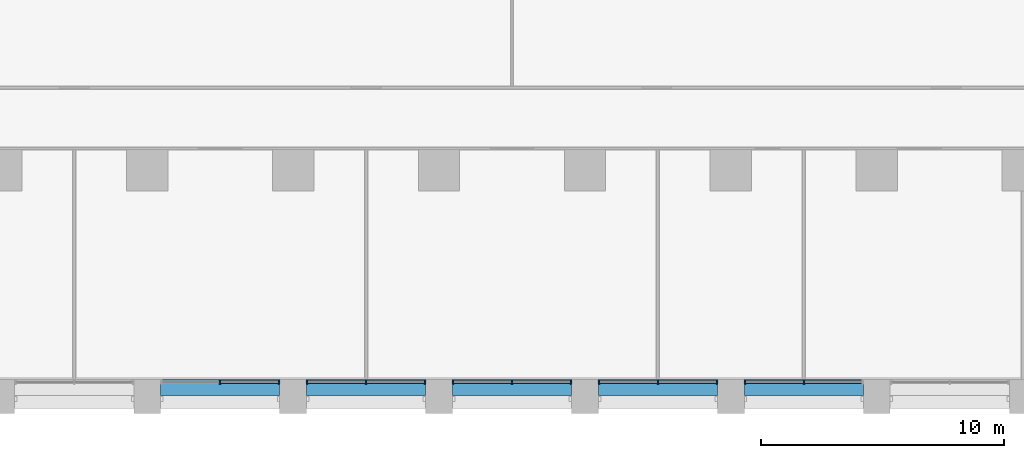
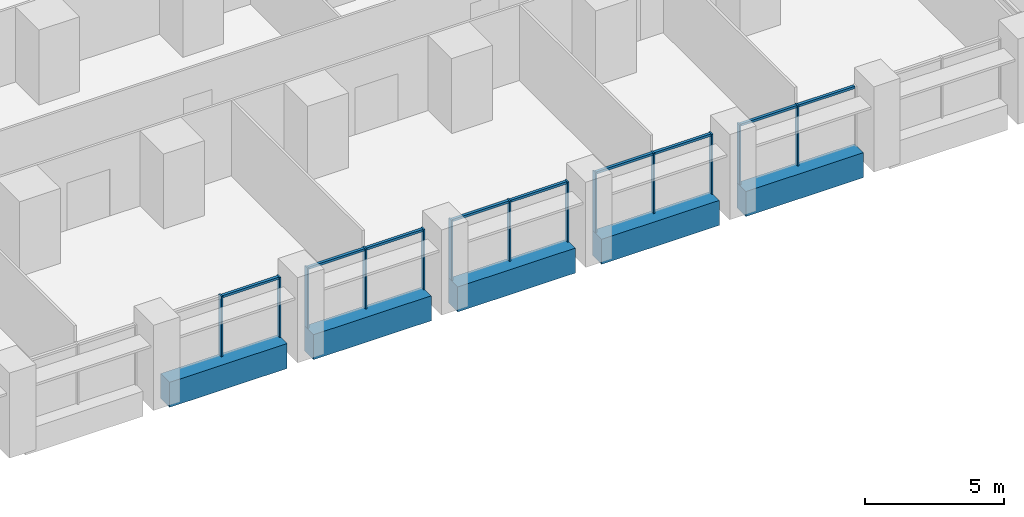
# One storey, part 3 of 18: 22 members, 5 beams, 5 elements without a shape of their own.
"""IFC4 building model written with IfcOpenShell, lengths in metres."""

from ifc_helpers import new_model, si_unit, direction, frame, origin, origin_2d, place, context, subcontext, project, spatial, rectangle, extrude, material, material_profile, profile_set, type_object, element, aggregate, save


model = new_model("IFC4")

# Units and contexts
model_context = context("Model", 3, precision=1e-05, world=origin(), true_north=direction((0.0, 1.0)))
body_context = subcontext(model_context, "Body", "Model", "MODEL_VIEW")
ifc_project = project(units=[si_unit("LENGTHUNIT", "METRE"), si_unit("AREAUNIT", "SQUARE_METRE"), si_unit("VOLUMEUNIT", "CUBIC_METRE"), si_unit("PLANEANGLEUNIT", "RADIAN"), si_unit("MASSUNIT", "GRAM", prefix="KILO")], contexts=[model_context])

# Site, building, storey
site_placement = place(None, origin())
site = spatial("IfcSite", under=ifc_project, at=site_placement, CompositionType="ELEMENT")
building_placement = place(site_placement, origin())
building = spatial("IfcBuilding", under=site, at=building_placement, Name="Calvaro Tower", CompositionType="ELEMENT")
storey_placement = place(building_placement, frame((0.0, 0.0, 48.75)))
storey = spatial("IfcBuildingStorey", under=building, at=storey_placement, Name="L11", CompositionType="ELEMENT", Elevation=48.75)

# Curtain wall, members
ifc_material_1 = material(Name="Anodised aluminium", Category="aluminium")
curtain_wall_type = type_object("IfcCurtainWallType", Name="Office curtain wall, lower zone", PredefinedType="NOTDEFINED", material=ifc_material_1)
curtain_wall_1_placement = place(storey_placement, origin())
curtain_wall_1 = element("IfcCurtainWall", 1, at=curtain_wall_1_placement, inside=storey, type_object=curtain_wall_type, Name="CW1 south curtain wall", PredefinedType="NOTDEFINED")
ifc_material_2 = material(Name="Anodised aluminium", Category="aluminium")
ifc_material_profile_1 = material_profile(ifc_material_2, rectangle(XDim=0.199951171875, YDim=0.06005859375, at=origin_2d()), Name="Mullion S1 60 x 200")
ifc_profile_set_1 = profile_set([ifc_material_profile_1], Name="Anodised aluminium")
member_type_1 = type_object("IfcMemberType", Name="Mullion S1 60 x 200", PredefinedType="MULLION", material=ifc_profile_set_1)
member_1_placement = place(storey_placement, frame((39.0, 1.300048828125, 0.0), z_axis=(0.0, 0.0, 1.0), x_axis=(0.0, 1.0, 0.0)))
member_1 = element("IfcMember", 2, at=member_1_placement, type_object=member_type_1, Name="CW1 mullion 2", PredefinedType="MULLION", context=body_context, shape_type="SweptSolid", body=[
    extrude(rectangle(XDim=0.199951171875, YDim=0.06005859375, at=origin_2d()), origin(), (0.0, 0.0, 1.0), 2.64990234375),
])
member_2_placement = place(storey_placement, frame((41.419921875, 1.300048828125, 0.0), z_axis=(0.0, 0.0, 1.0), x_axis=(0.0, 1.0, 0.0)))
member_2 = element("IfcMember", 3, at=member_2_placement, type_object=member_type_1, Name="CW1 mullion 3", PredefinedType="MULLION", context=body_context, shape_type="SweptSolid", body=[
    extrude(rectangle(XDim=0.199951171875, YDim=0.06005859375, at=origin_2d()), origin(), (0.0, 0.0, 1.0), 2.64990234375),
])

curtain_wall_2_placement = place(storey_placement, origin())
curtain_wall_2 = element("IfcCurtainWall", 4, at=curtain_wall_2_placement, inside=storey, type_object=curtain_wall_type, Name="CW1 south curtain wall", PredefinedType="NOTDEFINED")
member_3_placement = place(storey_placement, frame((42.580078125, 1.300048828125, 0.0), z_axis=(0.0, 0.0, 1.0), x_axis=(0.0, 1.0, 0.0)))
member_3 = element("IfcMember", 5, at=member_3_placement, type_object=member_type_1, Name="CW1 mullion 1", PredefinedType="MULLION", context=body_context, shape_type="SweptSolid", body=[
    extrude(rectangle(XDim=0.199951171875, YDim=0.06005859375, at=origin_2d()), origin(), (0.0, 0.0, 1.0), 2.64990234375),
])
member_4_placement = place(storey_placement, frame((45.0, 1.300048828125, 0.0), z_axis=(0.0, 0.0, 1.0), x_axis=(0.0, 1.0, 0.0)))
member_4 = element("IfcMember", 6, at=member_4_placement, type_object=member_type_1, Name="CW1 mullion 2", PredefinedType="MULLION", context=body_context, shape_type="SweptSolid", body=[
    extrude(rectangle(XDim=0.199951171875, YDim=0.06005859375, at=origin_2d()), origin(), (0.0, 0.0, 1.0), 2.64990234375),
])
member_5_placement = place(storey_placement, frame((47.419921875, 1.300048828125, 0.0), z_axis=(0.0, 0.0, 1.0), x_axis=(0.0, 1.0, 0.0)))
member_5 = element("IfcMember", 7, at=member_5_placement, type_object=member_type_1, Name="CW1 mullion 3", PredefinedType="MULLION", context=body_context, shape_type="SweptSolid", body=[
    extrude(rectangle(XDim=0.199951171875, YDim=0.06005859375, at=origin_2d()), origin(), (0.0, 0.0, 1.0), 2.64990234375),
])

curtain_wall_3_placement = place(storey_placement, origin())
curtain_wall_3 = element("IfcCurtainWall", 8, at=curtain_wall_3_placement, inside=storey, type_object=curtain_wall_type, Name="CW1 south curtain wall", PredefinedType="NOTDEFINED")
member_6_placement = place(storey_placement, frame((48.580078125, 1.300048828125, 0.0), z_axis=(0.0, 0.0, 1.0), x_axis=(0.0, 1.0, 0.0)))
member_6 = element("IfcMember", 9, at=member_6_placement, type_object=member_type_1, Name="CW1 mullion 1", PredefinedType="MULLION", context=body_context, shape_type="SweptSolid", body=[
    extrude(rectangle(XDim=0.199951171875, YDim=0.06005859375, at=origin_2d()), origin(), (0.0, 0.0, 1.0), 2.64990234375),
])
member_7_placement = place(storey_placement, frame((51.0, 1.300048828125, 0.0), z_axis=(0.0, 0.0, 1.0), x_axis=(0.0, 1.0, 0.0)))
member_7 = element("IfcMember", 10, at=member_7_placement, type_object=member_type_1, Name="CW1 mullion 2", PredefinedType="MULLION", context=body_context, shape_type="SweptSolid", body=[
    extrude(rectangle(XDim=0.199951171875, YDim=0.06005859375, at=origin_2d()), origin(), (0.0, 0.0, 1.0), 2.64990234375),
])
member_8_placement = place(storey_placement, frame((53.419921875, 1.300048828125, 0.0), z_axis=(0.0, 0.0, 1.0), x_axis=(0.0, 1.0, 0.0)))
member_8 = element("IfcMember", 11, at=member_8_placement, type_object=member_type_1, Name="CW1 mullion 3", PredefinedType="MULLION", context=body_context, shape_type="SweptSolid", body=[
    extrude(rectangle(XDim=0.199951171875, YDim=0.06005859375, at=origin_2d()), origin(), (0.0, 0.0, 1.0), 2.64990234375),
])

curtain_wall_4_placement = place(storey_placement, origin())
curtain_wall_4 = element("IfcCurtainWall", 12, at=curtain_wall_4_placement, inside=storey, type_object=curtain_wall_type, Name="CW1 south curtain wall", PredefinedType="NOTDEFINED")
member_9_placement = place(storey_placement, frame((54.580078125, 1.300048828125, 0.0), z_axis=(0.0, 0.0, 1.0), x_axis=(0.0, 1.0, 0.0)))
member_9 = element("IfcMember", 13, at=member_9_placement, type_object=member_type_1, Name="CW1 mullion 1", PredefinedType="MULLION", context=body_context, shape_type="SweptSolid", body=[
    extrude(rectangle(XDim=0.199951171875, YDim=0.06005859375, at=origin_2d()), origin(), (0.0, 0.0, 1.0), 2.64990234375),
])
member_10_placement = place(storey_placement, frame((57.0, 1.300048828125, 0.0), z_axis=(0.0, 0.0, 1.0), x_axis=(0.0, 1.0, 0.0)))
member_10 = element("IfcMember", 14, at=member_10_placement, type_object=member_type_1, Name="CW1 mullion 2", PredefinedType="MULLION", context=body_context, shape_type="SweptSolid", body=[
    extrude(rectangle(XDim=0.199951171875, YDim=0.06005859375, at=origin_2d()), origin(), (0.0, 0.0, 1.0), 2.64990234375),
])
member_11_placement = place(storey_placement, frame((59.419921875, 1.300048828125, 0.0), z_axis=(0.0, 0.0, 1.0), x_axis=(0.0, 1.0, 0.0)))
member_11 = element("IfcMember", 15, at=member_11_placement, type_object=member_type_1, Name="CW1 mullion 3", PredefinedType="MULLION", context=body_context, shape_type="SweptSolid", body=[
    extrude(rectangle(XDim=0.199951171875, YDim=0.06005859375, at=origin_2d()), origin(), (0.0, 0.0, 1.0), 2.64990234375),
])

curtain_wall_5_placement = place(storey_placement, origin())
curtain_wall_5 = element("IfcCurtainWall", 16, at=curtain_wall_5_placement, inside=storey, type_object=curtain_wall_type, Name="CW1 south curtain wall", PredefinedType="NOTDEFINED")
member_12_placement = place(storey_placement, frame((60.580078125, 1.300048828125, 0.0), z_axis=(0.0, 0.0, 1.0), x_axis=(0.0, 1.0, 0.0)))
member_12 = element("IfcMember", 17, at=member_12_placement, type_object=member_type_1, Name="CW1 mullion 1", PredefinedType="MULLION", context=body_context, shape_type="SweptSolid", body=[
    extrude(rectangle(XDim=0.199951171875, YDim=0.06005859375, at=origin_2d()), origin(), (0.0, 0.0, 1.0), 2.64990234375),
])
member_13_placement = place(storey_placement, frame((63.0, 1.300048828125, 0.0), z_axis=(0.0, 0.0, 1.0), x_axis=(0.0, 1.0, 0.0)))
member_13 = element("IfcMember", 18, at=member_13_placement, type_object=member_type_1, Name="CW1 mullion 2", PredefinedType="MULLION", context=body_context, shape_type="SweptSolid", body=[
    extrude(rectangle(XDim=0.199951171875, YDim=0.06005859375, at=origin_2d()), origin(), (0.0, 0.0, 1.0), 2.64990234375),
])

# Beams
ifc_material_3 = material(Name="Concrete C50/60 precast", Category="concrete")
ifc_material_profile_2 = material_profile(ifc_material_3, rectangle(XDim=0.64990234375, YDim=1.10009765625, at=origin_2d()), Name="RC 650x1100")
ifc_profile_set_2 = profile_set([ifc_material_profile_2], Name="Concrete C50/60 precast")
beam_type = type_object("IfcBeamType", Name="Spandrel beam 650x1100 C50/60", PredefinedType="SPANDREL", material=ifc_profile_set_2)
for number, where, z_axis, x_axis, name in (
    (19, (36.550048828125, 1.074951171875, -0.550048828125), (1.0, 0.0, 0.0), (0.0, 1.0, 0.0), "Spandrel beam"),
    (20, (42.550048828125, 1.074951171875, -0.550048828125), (1.0, 0.0, 0.0), (0.0, 1.0, 0.0), "Spandrel beam"),
    (21, (48.550048828125, 1.074951171875, -0.550048828125), (1.0, 0.0, 0.0), (0.0, 1.0, 0.0), "Spandrel beam"),
    (22, (54.550048828125, 1.074951171875, -0.550048828125), (1.0, 0.0, 0.0), (0.0, 1.0, 0.0), "Spandrel beam"),
    (23, (60.550048828125, 1.074951171875, -0.550048828125), (1.0, 0.0, 0.0), (0.0, 1.0, 0.0), "Spandrel beam"),
):
    element("IfcBeam", number, at=place(storey_placement, frame(where, z_axis=z_axis, x_axis=x_axis)), inside=storey, type_object=beam_type, Name=name, PredefinedType="SPANDREL", context=body_context, shape_type="SweptSolid", body=[
        extrude(rectangle(XDim=0.64990234375, YDim=1.10009765625, at=origin_2d()), origin(), (0.0, 0.0, 1.0), 4.89990234375),
    ])

# Member
ifc_material_4 = material(Name="Anodised aluminium", Category="aluminium")
ifc_material_profile_3 = material_profile(ifc_material_4, rectangle(XDim=0.1201171875, YDim=0.10009765625, at=origin_2d()), Name="Transom S1 100 x 120")
ifc_profile_set_3 = profile_set([ifc_material_profile_3], Name="Anodised aluminium")
member_type_2 = type_object("IfcMemberType", Name="Transom S1 100 x 120", PredefinedType="USERDEFINED", material=ifc_profile_set_3)
member_14_placement = place(storey_placement, frame((39.030029296875, 1.300048828125, 2.60009765625), z_axis=(1.0, 0.0, 0.0), x_axis=(0.0, 1.0, 0.0)))
member_14 = element("IfcMember", 24, at=member_14_placement, type_object=member_type_2, Name="CW1 transom 2.1", ObjectType="TRANSOM", PredefinedType="USERDEFINED", context=body_context, shape_type="SweptSolid", body=[
    extrude(rectangle(XDim=0.1201171875, YDim=0.10009765625, at=origin_2d()), origin(), (0.0, 0.0, 1.0), 2.35986328125),
])

aggregate(curtain_wall_1, [member_1, member_2, member_14])

member_15_placement = place(storey_placement, frame((42.610107421875, 1.300048828125, 2.60009765625), z_axis=(1.0, 0.0, 0.0), x_axis=(0.0, 1.0, 0.0)))
member_15 = element("IfcMember", 25, at=member_15_placement, type_object=member_type_2, Name="CW1 transom 1.1", ObjectType="TRANSOM", PredefinedType="USERDEFINED", context=body_context, shape_type="SweptSolid", body=[
    extrude(rectangle(XDim=0.1201171875, YDim=0.10009765625, at=origin_2d()), origin(), (0.0, 0.0, 1.0), 2.35986328125),
])

member_16_placement = place(storey_placement, frame((45.030029296875, 1.300048828125, 2.60009765625), z_axis=(1.0, 0.0, 0.0), x_axis=(0.0, 1.0, 0.0)))
member_16 = element("IfcMember", 26, at=member_16_placement, type_object=member_type_2, Name="CW1 transom 2.1", ObjectType="TRANSOM", PredefinedType="USERDEFINED", context=body_context, shape_type="SweptSolid", body=[
    extrude(rectangle(XDim=0.1201171875, YDim=0.10009765625, at=origin_2d()), origin(), (0.0, 0.0, 1.0), 2.35986328125),
])

aggregate(curtain_wall_2, [member_3, member_4, member_5, member_15, member_16])

member_17_placement = place(storey_placement, frame((48.610107421875, 1.300048828125, 2.60009765625), z_axis=(1.0, 0.0, 0.0), x_axis=(0.0, 1.0, 0.0)))
member_17 = element("IfcMember", 27, at=member_17_placement, type_object=member_type_2, Name="CW1 transom 1.1", ObjectType="TRANSOM", PredefinedType="USERDEFINED", context=body_context, shape_type="SweptSolid", body=[
    extrude(rectangle(XDim=0.1201171875, YDim=0.10009765625, at=origin_2d()), origin(), (0.0, 0.0, 1.0), 2.35986328125),
])

member_18_placement = place(storey_placement, frame((51.030029296875, 1.300048828125, 2.60009765625), z_axis=(1.0, 0.0, 0.0), x_axis=(0.0, 1.0, 0.0)))
member_18 = element("IfcMember", 28, at=member_18_placement, type_object=member_type_2, Name="CW1 transom 2.1", ObjectType="TRANSOM", PredefinedType="USERDEFINED", context=body_context, shape_type="SweptSolid", body=[
    extrude(rectangle(XDim=0.1201171875, YDim=0.10009765625, at=origin_2d()), origin(), (0.0, 0.0, 1.0), 2.35986328125),
])

aggregate(curtain_wall_3, [member_6, member_7, member_8, member_17, member_18])

member_19_placement = place(storey_placement, frame((54.610107421875, 1.300048828125, 2.60009765625), z_axis=(1.0, 0.0, 0.0), x_axis=(0.0, 1.0, 0.0)))
member_19 = element("IfcMember", 29, at=member_19_placement, type_object=member_type_2, Name="CW1 transom 1.1", ObjectType="TRANSOM", PredefinedType="USERDEFINED", context=body_context, shape_type="SweptSolid", body=[
    extrude(rectangle(XDim=0.1201171875, YDim=0.10009765625, at=origin_2d()), origin(), (0.0, 0.0, 1.0), 2.35986328125),
])

member_20_placement = place(storey_placement, frame((57.030029296875, 1.300048828125, 2.60009765625), z_axis=(1.0, 0.0, 0.0), x_axis=(0.0, 1.0, 0.0)))
member_20 = element("IfcMember", 30, at=member_20_placement, type_object=member_type_2, Name="CW1 transom 2.1", ObjectType="TRANSOM", PredefinedType="USERDEFINED", context=body_context, shape_type="SweptSolid", body=[
    extrude(rectangle(XDim=0.1201171875, YDim=0.10009765625, at=origin_2d()), origin(), (0.0, 0.0, 1.0), 2.35986328125),
])

aggregate(curtain_wall_4, [member_9, member_10, member_11, member_19, member_20])

member_21_placement = place(storey_placement, frame((60.610107421875, 1.300048828125, 2.60009765625), z_axis=(1.0, 0.0, 0.0), x_axis=(0.0, 1.0, 0.0)))
member_21 = element("IfcMember", 31, at=member_21_placement, type_object=member_type_2, Name="CW1 transom 1.1", ObjectType="TRANSOM", PredefinedType="USERDEFINED", context=body_context, shape_type="SweptSolid", body=[
    extrude(rectangle(XDim=0.1201171875, YDim=0.10009765625, at=origin_2d()), origin(), (0.0, 0.0, 1.0), 2.35986328125),
])

member_22_placement = place(storey_placement, frame((63.030029296875, 1.300048828125, 2.60009765625), z_axis=(1.0, 0.0, 0.0), x_axis=(0.0, 1.0, 0.0)))
member_22 = element("IfcMember", 32, at=member_22_placement, type_object=member_type_2, Name="CW1 transom 2.1", ObjectType="TRANSOM", PredefinedType="USERDEFINED", context=body_context, shape_type="SweptSolid", body=[
    extrude(rectangle(XDim=0.1201171875, YDim=0.10009765625, at=origin_2d()), origin(), (0.0, 0.0, 1.0), 2.35986328125),
])

aggregate(curtain_wall_5, [member_12, member_13, member_21, member_22])

save(model, "model.ifc")
